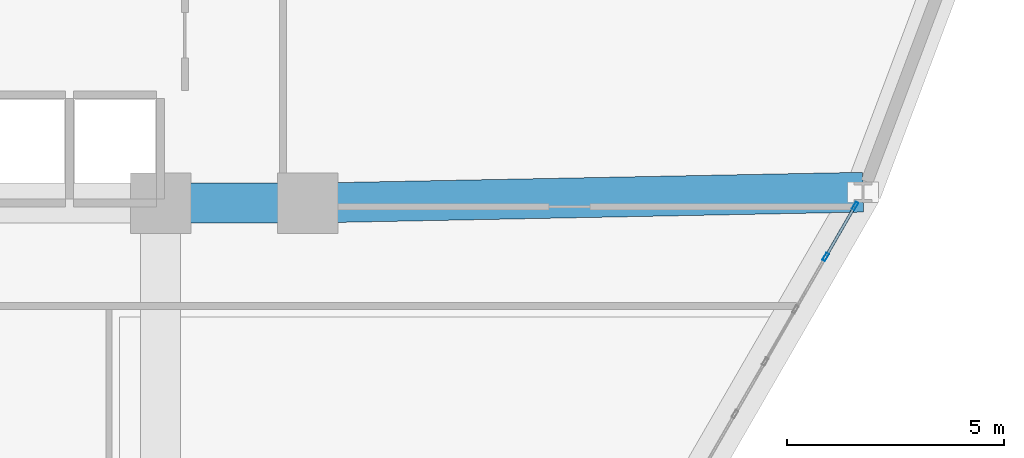
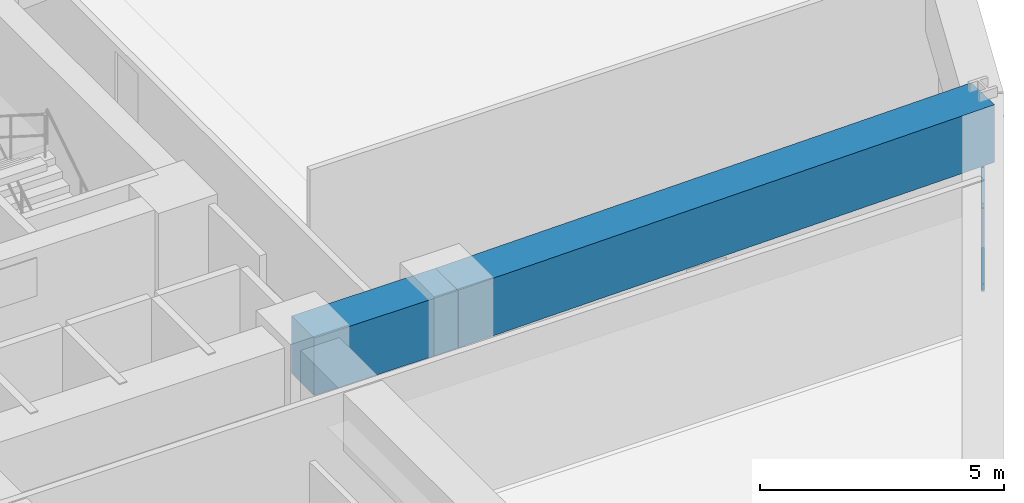
# One storey, part 8 of 18: 4 members, 2 beams, 1 element without a shape of its own.
"""IFC4 building model written with IfcOpenShell, lengths in metres."""

from ifc_helpers import new_model, si_unit, derived_unit, direction, frame, origin, origin_2d, place, context, subcontext, project, spatial, rectangle, hollow_rectangle, extrude, source, transform, mapped, material, layer, layer_set, material_profile, profile_set, type_object, element, aggregate, save


model = new_model("IFC4")

# Units and contexts
model_context = context("Model", 3, precision=1e-05, world=origin(), true_north=direction((0.0, 1.0)))
body_context = subcontext(model_context, "Body", "Model", "MODEL_VIEW")
ifc_project = project(units=[si_unit("LENGTHUNIT", "METRE"), si_unit("AREAUNIT", "SQUARE_METRE"), si_unit("VOLUMEUNIT", "CUBIC_METRE"), si_unit("PLANEANGLEUNIT", "RADIAN"), si_unit("MASSUNIT", "GRAM", prefix="KILO"), derived_unit("THERMALTRANSMITTANCEUNIT", [(si_unit("POWERUNIT", "WATT"), 1), (si_unit("LENGTHUNIT", "METRE"), -2), (si_unit("THERMODYNAMICTEMPERATUREUNIT", "KELVIN"), -1)])], contexts=[model_context])

# Site, building, storey
site_placement = place(None, origin())
site = spatial("IfcSite", under=ifc_project, at=site_placement, CompositionType="ELEMENT")
building_placement = place(site_placement, origin())
building = spatial("IfcBuilding", under=site, at=building_placement, Name="Korsvarv Bourse and Concert Hall", CompositionType="ELEMENT")
storey_placement = place(building_placement, frame((0.0, 0.0, 95.10009765625)))
storey = spatial("IfcBuildingStorey", under=building, at=storey_placement, Name="L23", CompositionType="ELEMENT", Elevation=95.10009765625)

# Beams
ifc_material_1 = material(Name="Concrete C50/60", Category="concrete")
ifc_material_profile_1 = material_profile(ifc_material_1, rectangle(XDim=0.919921875, YDim=1.43994140625, at=origin_2d()), Name="RC-BM 920x1440")
ifc_profile_set_1 = profile_set([ifc_material_profile_1], Name="Concrete C50/60")
beam_type = type_object("IfcBeamType", Name="BM-TR-144", PredefinedType="BEAM", material=ifc_profile_set_1)
shared_shape_1 = source(origin(), body_context, "Body", "SweptSolid", [
    extrude(rectangle(XDim=0.919921875, YDim=1.43994140625, at=origin_2d()), origin(), (0.0, 0.0, 1.0), 3.400146484375),
])
beam_1_placement = place(storey_placement, frame((44.39990234375, 32.39990234375, 2.949951171875), z_axis=(1.0, 0.0, 0.0), x_axis=(0.0, 1.0, 0.0)))
element("IfcBeam", 1, at=beam_1_placement, inside=storey, type_object=beam_type, Name="L23 beam B-TR4", PredefinedType="BEAM", context=body_context, shape_type="MappedRepresentation", body=[
    mapped(shared_shape_1, transform((0.0, 0.0, 0.0), scale=1.0)),
])
shared_shape_2 = source(origin(), body_context, "Body", "SweptSolid", [
    extrude(rectangle(XDim=0.919921875, YDim=1.43994140625, at=origin_2d()), origin(), (0.0, 0.0, 1.0), 12.8212890625),
])
beam_2_placement = place(storey_placement, frame((60.618896484375, 32.65087890625, 2.949951171875), z_axis=(-0.999808392048, -0.019574963376, 0.0), x_axis=(0.019574963376, -0.999808392048, 0.0)))
element("IfcBeam", 2, at=beam_2_placement, inside=storey, type_object=beam_type, Name="L23 beam B-TR4", PredefinedType="BEAM", context=body_context, shape_type="MappedRepresentation", body=[
    mapped(shared_shape_2, transform((0.0, 0.0, 0.0), scale=1.0)),
])

# Curtain wall, members
ifc_material_2 = material(Name="Anodised aluminium and triple low-E glazing", Category="glass")
ifc_layer = layer(ifc_material_2, 0.219970703125)
ifc_layer_set = layer_set([ifc_layer], Name="Anodised aluminium and triple low-E glazing")
curtain_wall_type = type_object("IfcCurtainWallType", Name="CW-SYS-1", PredefinedType="NOTDEFINED", material=ifc_layer_set)
curtain_wall_placement = place(storey_placement, origin())
curtain_wall = element("IfcCurtainWall", 3, at=curtain_wall_placement, inside=storey, type_object=curtain_wall_type, Name="L23 CW1 curtain wall CW-L23-F11", PredefinedType="NOTDEFINED")
ifc_material_3 = material(Name="Extruded aluminium EN AW-6063 T66", Category="aluminium")
ifc_material_profile_2 = material_profile(ifc_material_3, hollow_rectangle(XDim=0.070068359375, YDim=0.18994140625, WallThickness=0.0048828125, at=origin_2d()), Name="ALU-M 70x190")
ifc_profile_set_2 = profile_set([ifc_material_profile_2], Name="Extruded aluminium EN AW-6063 T66")
member_type_1 = type_object("IfcMemberType", Name="CWM-190", PredefinedType="MULLION", material=ifc_profile_set_2)
shared_shape_3 = source(origin(), body_context, "Body", "SweptSolid", [
    extrude(hollow_rectangle(XDim=0.070068359375, YDim=0.18994140625, WallThickness=0.0048828125, at=origin_2d()), origin(), (0.0, 0.0, 1.0), 2.06982421875),
])
member_1_placement = place(storey_placement, frame((59.75537109375, 31.1552734375, 0.0), z_axis=(0.0, 0.0, 1.0), x_axis=(-0.8660261613, 0.499998687942, 0.0)))
member_1 = element("IfcMember", 4, at=member_1_placement, type_object=member_type_1, Name="CW1 mullion 10", PredefinedType="MULLION", context=body_context, shape_type="MappedRepresentation", body=[
    mapped(shared_shape_3, transform((0.0, 0.0, 0.0), scale=1.0)),
])
member_2_placement = place(storey_placement, frame((60.435791015625, 32.33349609375, 0.0), z_axis=(0.0, 0.0, 1.0), x_axis=(-0.8660261613, 0.499998687942, 0.0)))
member_2 = element("IfcMember", 5, at=member_2_placement, type_object=member_type_1, Name="CW1 mullion 11", PredefinedType="MULLION", context=body_context, shape_type="MappedRepresentation", body=[
    mapped(shared_shape_3, transform((0.0, 0.0, 0.0), scale=1.0)),
])
ifc_material_profile_3 = material_profile(ifc_material_3, hollow_rectangle(XDim=0.06494140625, YDim=0.139892578125, WallThickness=0.00390625, at=origin_2d()), Name="ALU-T 65x140")
ifc_profile_set_3 = profile_set([ifc_material_profile_3], Name="Extruded aluminium EN AW-6063 T66")
member_type_2 = type_object("IfcMemberType", Name="CWT-140", PredefinedType="USERDEFINED", material=ifc_profile_set_3)
shared_shape_4 = source(origin(), body_context, "Body", "SweptSolid", [
    extrude(hollow_rectangle(XDim=0.06494140625, YDim=0.139892578125, WallThickness=0.00390625, at=origin_2d()), origin(), (0.0, 0.0, 1.0), 1.29052734375),
])
member_3_placement = place(storey_placement, frame((59.77294921875, 31.185546875, 0.032470703125), z_axis=(0.49998445949, 0.866034375916, 0.0), x_axis=(-0.866034375916, 0.49998445949, 0.0)))
member_3 = element("IfcMember", 6, at=member_3_placement, type_object=member_type_2, Name="CW1 transom 10.1", ObjectType="TRANSOM", PredefinedType="USERDEFINED", context=body_context, shape_type="MappedRepresentation", body=[
    mapped(shared_shape_4, transform((0.0, 0.0, 0.0), scale=1.0)),
])
member_4_placement = place(storey_placement, frame((59.77294921875, 31.185546875, 2.037353515625), z_axis=(0.49998445949, 0.866034375916, 0.0), x_axis=(-0.866034375916, 0.49998445949, 0.0)))
member_4 = element("IfcMember", 7, at=member_4_placement, type_object=member_type_2, Name="CW1 transom 10.2", ObjectType="TRANSOM", PredefinedType="USERDEFINED", context=body_context, shape_type="MappedRepresentation", body=[
    mapped(shared_shape_4, transform((0.0, 0.0, 0.0), scale=1.0)),
])
aggregate(curtain_wall, [member_1, member_2, member_3, member_4])

save(model, "model.ifc")
